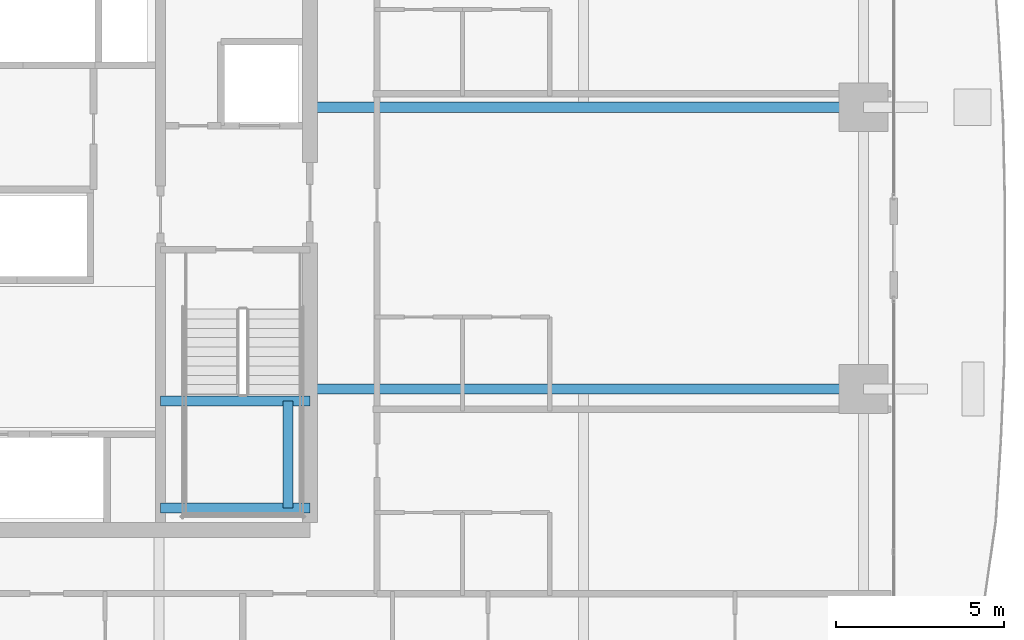
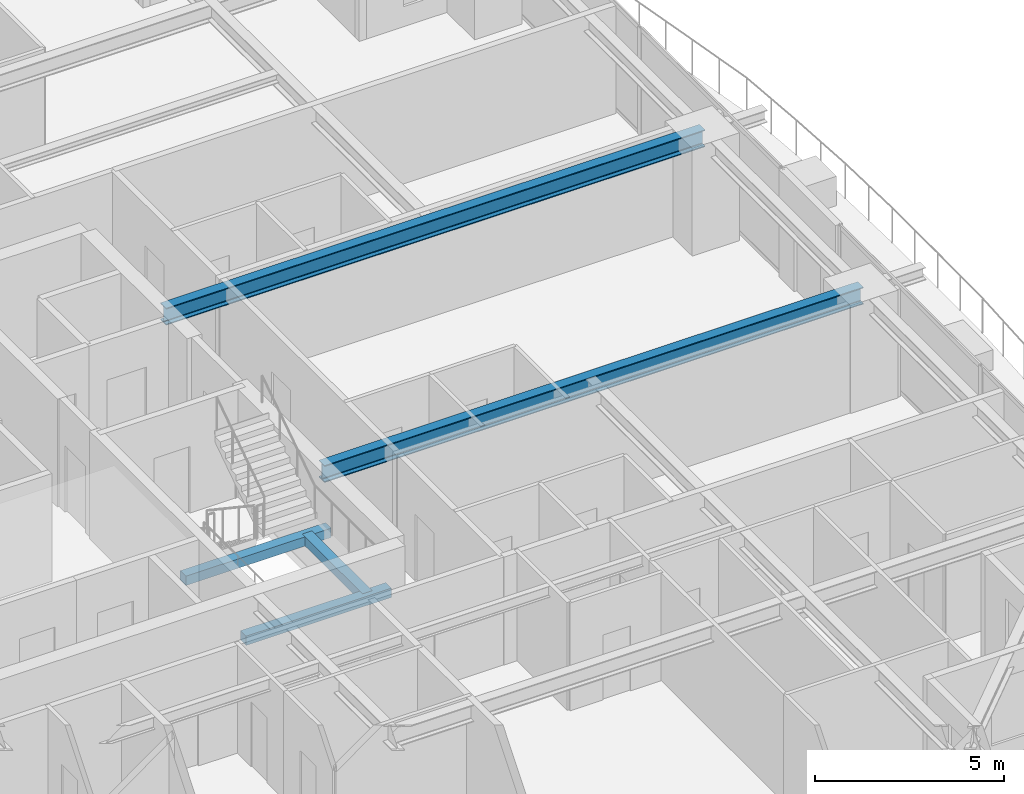
# One storey, part 13 of 38: 5 beams.
"""IFC4 building model written with IfcOpenShell, lengths in metres."""

import ifcopenshell
import ifcopenshell.guid

model = None  # the IFC model being written
_history = None  # IfcOwnerHistory: only IFC2X3 demands one
_inside = {}  # id of a spatial element -> (the spatial element, [elements in it])
_under = {}  # id of a project, library or spatial element -> (it, [spatial elements below it])
_declared = {}  # id of a project -> (the project, [libraries it declares])
_typed = {}  # id of a type object -> (the type object, [elements of that type])
_made_of = {}  # id of a material, layer set ... -> (it, [elements and type objects made of it])


def new_model(schema):
    """Start an empty IFC model of exactly this schema.

    Asked for "IFC4X3", IfcOpenShell would pick the latest addendum, in which some entities
    have other attributes; the version numbers below select the first issue.
    IFC2X3 requires an IfcOwnerHistory on every rooted entity: one is made here for all.
    """
    global model, _history
    if schema == "IFC4X3":
        model = ifcopenshell.file(schema_version=(4, 3, 0, 0))
    else:
        model = ifcopenshell.file(schema=schema)
    _inside.clear()
    _under.clear()
    _declared.clear()
    _typed.clear()
    _made_of.clear()
    _history = None
    if model.schema == "IFC2X3":
        org = make("IfcOrganization", Name="unknown")
        user = make(
            "IfcPersonAndOrganization",
            ThePerson=make("IfcPerson", FamilyName="unknown"),
            TheOrganization=org,
        )
        app = make(
            "IfcApplication",
            ApplicationDeveloper=org,
            Version="unknown",
            ApplicationFullName="unknown",
            ApplicationIdentifier="unknown",
        )
        _history = make(
            "IfcOwnerHistory",
            OwningUser=user,
            OwningApplication=app,
            ChangeAction="ADDED",
            CreationDate=0,
        )
    return model


def make(cls, **values):
    """One entity of the class cls with the attributes given. An attribute that is None is left unset."""
    return model.create_entity(
        cls, **{name: value for name, value in values.items() if value is not None}
    )


def rooted(cls, **values):
    """An entity with a GlobalId (a new one), such as an element, a storey or a relation."""
    return make(cls, GlobalId=ifcopenshell.guid.new(), OwnerHistory=_history, **values)


def si_unit(unit_type, name, prefix=None):
    """IfcSIUnit, for example si_unit("LENGTHUNIT", "METRE", prefix="MILLI")."""
    return make("IfcSIUnit", UnitType=unit_type, Prefix=prefix, Name=name)


def assignment(units):
    """IfcUnitAssignment: the units of a project."""
    return None if units is None else make("IfcUnitAssignment", Units=units)


def point(xyz):
    """IfcCartesianPoint."""
    return None if xyz is None else make("IfcCartesianPoint", Coordinates=xyz)


def direction(xyz):
    """IfcDirection."""
    return None if xyz is None else make("IfcDirection", DirectionRatios=xyz)


def frame(location, z_axis=None, x_axis=None):
    """IfcAxis2Placement3D, a coordinate frame: its origin and axes. An axis left out is left unset."""
    return make(
        "IfcAxis2Placement3D",
        Location=point(location),
        Axis=direction(z_axis),
        RefDirection=direction(x_axis),
    )


def frame_2d(location, x_axis=None):
    """IfcAxis2Placement2D, a coordinate frame in the plane: its origin and x axis."""
    return make(
        "IfcAxis2Placement2D", Location=point(location), RefDirection=direction(x_axis)
    )


def origin():
    """The frame at (0, 0, 0) with its axes left unset."""
    return frame((0.0, 0.0, 0.0))


def origin_2d():
    """The frame at (0, 0) in the plane with its x axis left unset."""
    return frame_2d((0.0, 0.0))


def place(relative_to, where):
    """IfcLocalPlacement: puts the frame where relative to a parent placement (None: the world)."""
    return make(
        "IfcLocalPlacement", PlacementRelTo=relative_to, RelativePlacement=where
    )


def context(
    kind, dimensions, precision=None, world=None, true_north=None, identifier=None
):
    """IfcGeometricRepresentationContext, for example the 3D "Model" context."""
    return make(
        "IfcGeometricRepresentationContext",
        ContextIdentifier=identifier,
        ContextType=kind,
        CoordinateSpaceDimension=dimensions,
        Precision=precision,
        WorldCoordinateSystem=world,
        TrueNorth=true_north,
    )


def subcontext(parent, identifier, kind, view, scale=None):
    """IfcGeometricRepresentationSubContext, for example "Body" below "Model"."""
    return make(
        "IfcGeometricRepresentationSubContext",
        ContextIdentifier=identifier,
        ContextType=kind,
        ParentContext=parent,
        TargetScale=scale,
        TargetView=view,
    )


def project(units=None, contexts=None):
    """IfcProject with its units and contexts."""
    return rooted(
        "IfcProject",
        Name="project",
        RepresentationContexts=contexts,
        UnitsInContext=assignment(units),
    )


def spatial(cls, under=None, at=None, **own):
    """A site, building, storey or space (cls), placed at a placement, below another one or the project."""
    s = rooted(cls, ObjectPlacement=at, **own)
    if under is not None:
        _under.setdefault(under.id(), (under, []))[1].append(s)
    return s


def profile(cls, at=None, kind="AREA", **sizes):
    """A parametric profile (cls). Its sizes go by their IFC names, for example OverallWidth=200.0."""
    return make(cls, ProfileType=kind, Position=at, **sizes)


def rectangle(**sizes):
    """IfcRectangleProfileDef."""
    return profile("IfcRectangleProfileDef", **sizes)


def i_section(**sizes):
    """IfcIShapeProfileDef."""
    return profile("IfcIShapeProfileDef", **sizes)


def extrude(swept, where, along, depth):
    """IfcExtrudedAreaSolid: the profile swept, set in the frame where, extruded along a direction by depth."""
    return make(
        "IfcExtrudedAreaSolid",
        SweptArea=swept,
        Position=where,
        ExtrudedDirection=direction(along),
        Depth=depth,
    )


def shape(context_of_items, identifier, shape_type, items):
    """IfcShapeRepresentation: the items that make up one representation, for example the "Body"."""
    return make(
        "IfcShapeRepresentation",
        ContextOfItems=context_of_items,
        RepresentationIdentifier=identifier,
        RepresentationType=shape_type,
        Items=items,
    )


def source(mapping_origin, context_of_items, identifier, shape_type, items):
    """IfcRepresentationMap: a shape defined once, which mapped items show again and again."""
    return make(
        "IfcRepresentationMap",
        MappingOrigin=mapping_origin,
        MappedRepresentation=shape(context_of_items, identifier, shape_type, items),
    )


def transform(
    local_origin,
    x_axis=None,
    y_axis=None,
    z_axis=None,
    scale=None,
    scale2=None,
    scale3=None,
    uniform=True,
):
    """IfcCartesianTransformationOperator3D, or its non-uniform kind. x_axis, y_axis, z_axis: its Axis1, 2, 3."""
    if uniform:
        return make(
            "IfcCartesianTransformationOperator3D",
            Axis1=direction(x_axis),
            Axis2=direction(y_axis),
            LocalOrigin=point(local_origin),
            Scale=scale,
            Axis3=direction(z_axis),
        )
    return make(
        "IfcCartesianTransformationOperator3DnonUniform",
        Axis1=direction(x_axis),
        Axis2=direction(y_axis),
        LocalOrigin=point(local_origin),
        Scale=scale,
        Axis3=direction(z_axis),
        Scale2=scale2,
        Scale3=scale3,
    )


def mapped(mapping_source, mapping_target):
    """IfcMappedItem: shows the shape of a source again, moved by a transform."""
    return make(
        "IfcMappedItem", MappingSource=mapping_source, MappingTarget=mapping_target
    )


def material(Name=None, Category=None):
    """IfcMaterial."""
    return make("IfcMaterial", Name=Name, Category=Category)


def material_profile(
    of_material, cross_section, Name=None, Category=None, Priority=None
):
    """IfcMaterialProfile: a cross section and its material."""
    return make(
        "IfcMaterialProfile",
        Name=Name,
        Material=of_material,
        Profile=cross_section,
        Priority=Priority,
        Category=Category,
    )


def profile_set(profiles, Name=None, composite=None):
    """IfcMaterialProfileSet."""
    return make(
        "IfcMaterialProfileSet",
        Name=Name,
        MaterialProfiles=profiles,
        CompositeProfile=composite,
    )


def made_of(thing, what):
    """Note that an element or type object is made of a material, layer set ...; save() writes the relation."""
    if what is not None:
        _made_of.setdefault(what.id(), (what, []))[1].append(thing)
    return thing


def type_object(cls, material=None, **own):
    """A type object (cls), such as IfcWallType, which elements share."""
    return made_of(rooted(cls, **own), material)


def element(
    cls,
    number,
    at=None,
    inside=None,
    cuts=None,
    type_object=None,
    material=None,
    context=None,
    identifier="Body",
    shape_type=None,
    held_by="IfcProductDefinitionShape",
    body=None,
    shapes=None,
    **own,
):
    """One element of the class cls, such as IfcWall. Its Tag is "e" and its number.

    at: its placement. inside: the storey or other place that contains it. cuts: it is an
    opening in that element (IfcRelVoidsElement). A single representation is given by context,
    identifier, shape_type and body (its items); several are given by shapes. held_by: the class
    of the entity that holds the representations. save() writes the other relations.
    """
    e = rooted(cls, Tag="e%d" % number, ObjectPlacement=at, **own)
    if body is not None:
        shapes = [shape(context, identifier, shape_type, body)]
    if shapes is not None:
        e.Representation = make(held_by, Representations=shapes)
    if inside is not None:
        _inside.setdefault(inside.id(), (inside, []))[1].append(e)
    if cuts is not None:
        rooted(
            "IfcRelVoidsElement", RelatingBuildingElement=cuts, RelatedOpeningElement=e
        )
    if type_object is not None:
        _typed.setdefault(type_object.id(), (type_object, []))[1].append(e)
    return made_of(e, material)


def aggregate(whole, parts):
    """IfcRelAggregates: a whole, such as a stair, and the parts it consists of."""
    return rooted("IfcRelAggregates", RelatingObject=whole, RelatedObjects=parts)


def save(model, path):
    """Write the relations noted so far, then the file.

    IfcRelAggregates (storeys below a building ...), IfcRelContainedInSpatialStructure (elements
    in a storey), IfcRelDefinesByType, IfcRelAssociatesMaterial and IfcRelDeclares: one each for
    every whole, place, type object, material and project.
    """
    for whole, parts in _under.values():
        aggregate(whole, parts)
    for where, things in _inside.values():
        rooted(
            "IfcRelContainedInSpatialStructure",
            RelatedElements=things,
            RelatingStructure=where,
        )
    for kind, things in _typed.values():
        rooted("IfcRelDefinesByType", RelatedObjects=things, RelatingType=kind)
    for what, things in _made_of.values():
        rooted("IfcRelAssociatesMaterial", RelatedObjects=things, RelatingMaterial=what)
    for by, libraries in _declared.values():
        rooted("IfcRelDeclares", RelatingContext=by, RelatedDefinitions=libraries)
    model.write(path)


model = new_model("IFC4")

# Units and contexts
model_context = context("Model", 3, precision=1e-05, world=origin(), true_north=direction((0.0, 1.0)))
body_context = subcontext(model_context, "Body", "Model", "MODEL_VIEW")
ifc_project = project(units=[si_unit("LENGTHUNIT", "METRE"), si_unit("AREAUNIT", "SQUARE_METRE"), si_unit("VOLUMEUNIT", "CUBIC_METRE"), si_unit("PLANEANGLEUNIT", "RADIAN"), si_unit("MASSUNIT", "GRAM", prefix="KILO")], contexts=[model_context])

# Site, building, storey
site_placement = place(None, origin())
site = spatial("IfcSite", under=ifc_project, at=site_placement, CompositionType="ELEMENT")
building_placement = place(site_placement, origin())
building = spatial("IfcBuilding", under=site, at=building_placement, Name="Serunith Strait Residences", CompositionType="ELEMENT")
storey_placement = place(building_placement, frame((0.0, 0.0, 67.949951171875)))
storey = spatial("IfcBuildingStorey", under=building, at=storey_placement, Name="L16", CompositionType="ELEMENT", Elevation=67.949951171875)

# Beams
ifc_material_1 = material(Name="Steel S355J2", Category="steel")
ifc_material_profile_1 = material_profile(ifc_material_1, i_section(OverallWidth=0.300048828125, OverallDepth=0.550048828125, WebThickness=0.014892578125, FlangeThickness=0.029052734375, FilletRadius=0.027099609375, at=origin_2d()), Name="HEB 550")
ifc_profile_set_1 = profile_set([ifc_material_profile_1], Name="Steel S355J2")
beam_type_1 = type_object("IfcBeamType", Name="BM-HEB550", PredefinedType="BEAM", material=ifc_profile_set_1)
shared_shape_1 = source(origin(), body_context, "Body", "SweptSolid", [
    extrude(i_section(OverallWidth=0.300048828125, OverallDepth=0.550048828125, WebThickness=0.014892578125, FlangeThickness=0.029052734375, FilletRadius=0.027099609375, at=origin_2d()), origin(), (0.0, 0.0, 1.0), 16.5),
])
for number, where, z_axis, x_axis, name in (
    (1, (41.39990234375, 21.0, 3.212158203125), (1.0, 0.0, 0.0), (0.0, 1.0, 0.0), "L16 Primary Floor Girder TC-E2"),
    (2, (41.39990234375, 29.39990234375, 3.212158203125), (1.0, 0.0, 0.0), (0.0, 1.0, 0.0), "L16 Primary Floor Girder TC-E3"),
):
    element("IfcBeam", number, at=place(storey_placement, frame(where, z_axis=z_axis, x_axis=x_axis)), inside=storey, type_object=beam_type_1, Name=name, PredefinedType="BEAM", context=body_context, shape_type="MappedRepresentation", body=[
        mapped(shared_shape_1, transform((0.0, 0.0, 0.0), scale=1.0)),
    ])
ifc_material_2 = material(Name="Concrete C60/75", Category="concrete")
ifc_material_profile_2 = material_profile(ifc_material_2, rectangle(XDim=0.300048828125, YDim=0.300048828125, at=origin_2d()), Name="RC 300x300")
ifc_profile_set_2 = profile_set([ifc_material_profile_2], Name="Concrete C60/75")
beam_type_2 = type_object("IfcBeamType", Name="BM-LAND-300x300", PredefinedType="BEAM", material=ifc_profile_set_2)
shared_shape_2 = source(origin(), body_context, "Body", "SweptSolid", [
    extrude(rectangle(XDim=0.300048828125, YDim=0.300048828125, at=origin_2d()), origin(), (0.0, 0.0, 1.0), 3.199951171875),
])
beam_placement = place(storey_placement, frame((40.75, 17.449951171875, 1.525146484375), z_axis=(0.0, 1.0, 0.0), x_axis=(-1.0, 0.0, 0.0)))
element("IfcBeam", 3, at=beam_placement, inside=storey, type_object=beam_type_2, Name="L16 ST-2 Landing Transverse Tie Beam", PredefinedType="BEAM", context=body_context, shape_type="MappedRepresentation", body=[
    mapped(shared_shape_2, transform((0.0, 0.0, 0.0), scale=1.0)),
])
shared_shape_3 = source(origin(), body_context, "Body", "SweptSolid", [
    extrude(rectangle(XDim=0.300048828125, YDim=0.300048828125, at=origin_2d()), origin(), (0.0, 0.0, 1.0), 4.449951171875),
])
for number, where, z_axis, x_axis, name in (
    (4, (36.949951171875, 17.449951171875, 1.525146484375), (1.0, 0.0, 0.0), (0.0, 1.0, 0.0), "L16 ST-2 Landing Support Beam 1"),
    (5, (36.949951171875, 20.64990234375, 1.525146484375), (1.0, 0.0, 0.0), (0.0, 1.0, 0.0), "L16 ST-2 Landing Support Beam 2"),
):
    element("IfcBeam", number, at=place(storey_placement, frame(where, z_axis=z_axis, x_axis=x_axis)), inside=storey, type_object=beam_type_2, Name=name, PredefinedType="BEAM", context=body_context, shape_type="MappedRepresentation", body=[
        mapped(shared_shape_3, transform((0.0, 0.0, 0.0), scale=1.0)),
    ])

save(model, "model.ifc")
